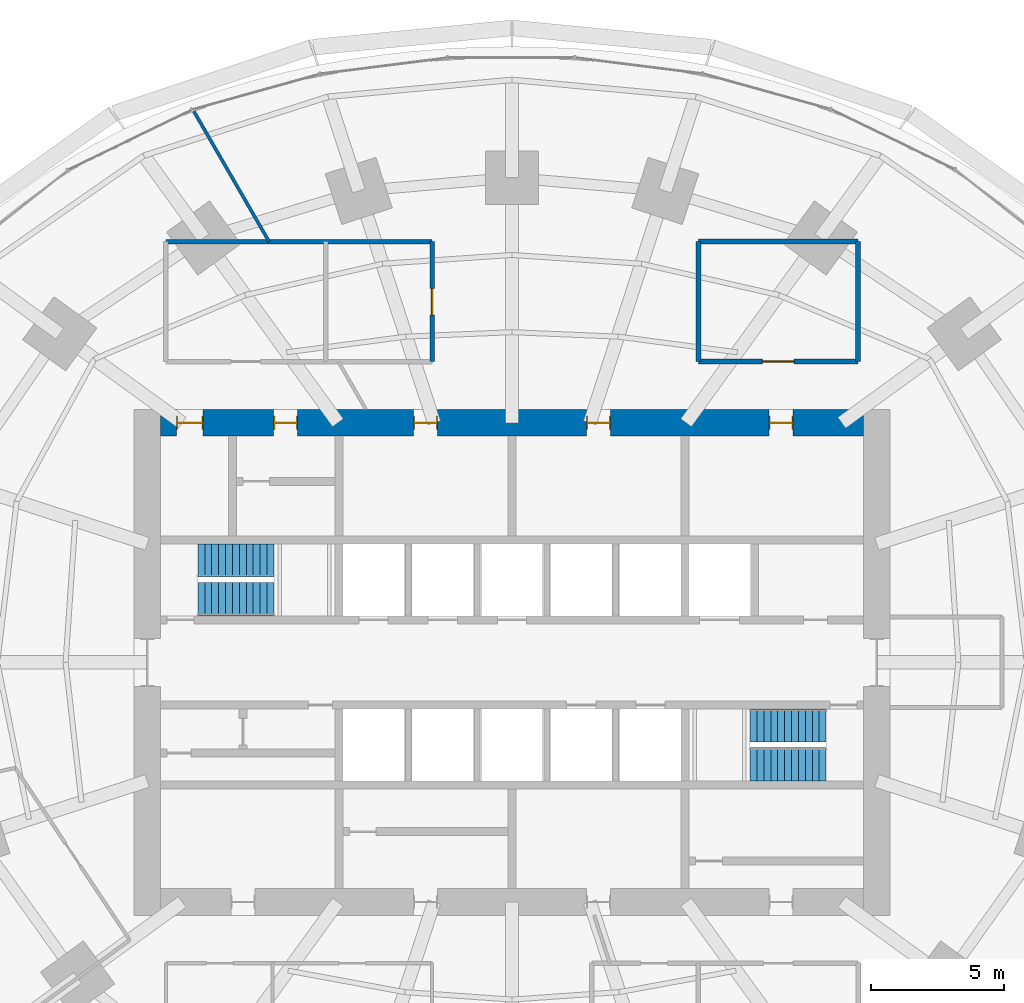
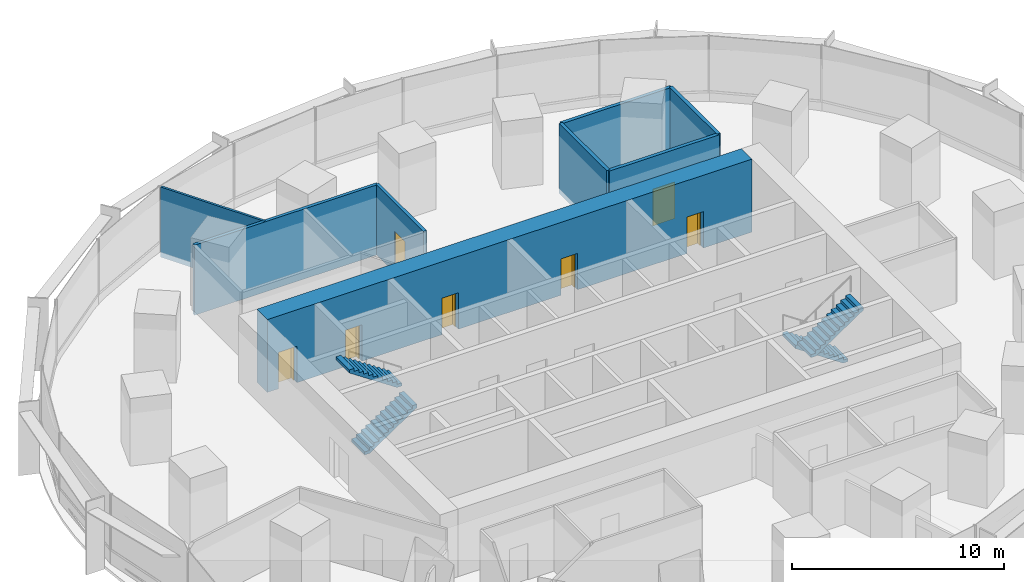
# One storey, part 13 of 15: 8 walls, 7 doors, 4 stair flights, 7 openings, 2 elements without a shape of their own.
"""IFC4 building model written with IfcOpenShell, lengths in metres."""

from ifc_helpers import new_model, si_unit, direction, frame, frame_2d, origin, place, context, subcontext, project, spatial, polyline, rectangle, outline, extrude, material, layer, layer_set, type_object, element, fill, aggregate, save


model = new_model("IFC4")

# Units and contexts
model_context = context("Model", 3, precision=1e-05, world=origin(), true_north=direction((0.0, 1.0)))
body_context = subcontext(model_context, "Body", "Model", "MODEL_VIEW")
ifc_project = project(units=[si_unit("LENGTHUNIT", "METRE"), si_unit("AREAUNIT", "SQUARE_METRE"), si_unit("VOLUMEUNIT", "CUBIC_METRE"), si_unit("PLANEANGLEUNIT", "RADIAN"), si_unit("MASSUNIT", "GRAM", prefix="KILO")], contexts=[model_context])

# Site, building, storey
site_placement = place(None, origin())
site = spatial("IfcSite", under=ifc_project, at=site_placement, CompositionType="ELEMENT")
building_placement = place(site_placement, origin())
building = spatial("IfcBuilding", under=site, at=building_placement, Name="Marramba Exchange Tower", CompositionType="ELEMENT")
storey_placement = place(building_placement, frame((0.0, 0.0, 28.0)))
storey = spatial("IfcBuildingStorey", under=building, at=storey_placement, Name="L06", CompositionType="ELEMENT", Elevation=28.0)

# Wall, opening, door
ifc_material_1 = material(Name="Plasterboard on staggered double steel studs, acoustic insulation", Category="steel")
ifc_layer_1 = layer(ifc_material_1, 0.169921875)
ifc_layer_set_1 = layer_set([ifc_layer_1], Name="Acoustic partition 170")
wall_type_1 = type_object("IfcWallType", Name="Acoustic partition 170", PredefinedType="PARTITIONING", material=ifc_layer_set_1)
wall_1_placement = place(storey_placement, frame((-3.0, 11.300048828125, 0.0), z_axis=(0.0, 0.0, 1.0), x_axis=(0.0, 1.0, 0.0)))
wall_1 = element("IfcWall", 1, at=wall_1_placement, inside=storey, type_object=wall_type_1, Name="Acoustic partition L06 23", PredefinedType="PARTITIONING", context=body_context, shape_type="SweptSolid", body=[
    extrude(rectangle(XDim=4.5, YDim=0.169921875, at=frame_2d((2.25, 0.0))), origin(), (0.0, 0.0, 1.0), 4.0400390625),
])
opening_1_placement = place(wall_1_placement, frame((1.75, 0.0, 0.0)))
opening_1 = element("IfcOpeningElement", 2, at=opening_1_placement, cuts=wall_1, Name="Opening D9", PredefinedType="OPENING", context=body_context, shape_type="SweptSolid", body=[
    extrude(rectangle(XDim=1.0, YDim=2.39990234375, at=frame_2d((0.5, 1.199951171875))), frame((0.0, 0.094970703125, 0.0), z_axis=(0.0, -1.0, 0.0), x_axis=(1.0, 0.0, 0.0)), (0.0, 0.0, 1.0), 0.18994140625),
])
ifc_material_2 = material(Name="Timber door", Category="wood")
door_type_1 = type_object("IfcDoorType", Name="Room door 1000x2400", OperationType="SINGLE_SWING_LEFT", PredefinedType="DOOR", material=ifc_material_2)
door_1_placement = place(opening_1_placement, origin())
door_1 = element("IfcDoor", 3, at=door_1_placement, inside=storey, type_object=door_type_1, Name="D9 Interview Room L06", OperationType="SINGLE_SWING_RIGHT", OverallHeight=2.39990234375, OverallWidth=1.0, PredefinedType="DOOR", context=body_context, shape_type="SweptSolid", body=[
    extrude(rectangle(XDim=1.0, YDim=2.39990234375, at=frame_2d((0.5, 1.199951171875))), frame((0.0, 0.02490234375, 0.0), z_axis=(0.0, -1.0, 0.0), x_axis=(1.0, 0.0, 0.0)), (0.0, 0.0, 1.0), 0.050048828125),
])
fill(opening_1, door_1)

# Wall
wall_2_placement = place(storey_placement, frame((-3.0, 15.800048828125, 0.0), z_axis=(0.0, 0.0, 1.0), x_axis=(-1.0, 0.0, 0.0)))
element("IfcWall", 4, at=wall_2_placement, inside=storey, type_object=wall_type_1, Name="Acoustic partition L06 24", PredefinedType="PARTITIONING", context=body_context, shape_type="SweptSolid", body=[
    extrude(rectangle(XDim=10.0, YDim=0.169921875, at=frame_2d((5.0, 0.0))), origin(), (0.0, 0.0, 1.0), 4.0400390625),
])

# Wall, openings, doors
ifc_material_3 = material(Name="Concrete N50", Category="concrete")
ifc_layer_2 = layer(ifc_material_3, 1.0)
ifc_layer_set_2 = layer_set([ifc_layer_2], Name="Core wall 1000")
wall_type_2 = type_object("IfcWallType", Name="Core wall 1000", PredefinedType="SHEAR", material=ifc_layer_set_2)
wall_3_placement = place(storey_placement, frame((13.199951171875, 9.0, 0.0), z_axis=(0.0, 0.0, 1.0), x_axis=(-1.0, 0.0, 0.0)))
wall_3 = element("IfcWall", 5, at=wall_3_placement, inside=storey, type_object=wall_type_2, Name="Core wall N L06", PredefinedType="SHEAR", context=body_context, shape_type="SweptSolid", body=[
    extrude(rectangle(XDim=26.39990234375, YDim=1.0, at=frame_2d((13.199951171875, 0.0))), origin(), (0.0, 0.0, 1.0), 4.199951171875),
])
opening_2_placement = place(wall_3_placement, frame((2.64990234375, 0.0, 0.0)))
opening_2 = element("IfcOpeningElement", 6, at=opening_2_placement, cuts=wall_3, Name="Opening D5", PredefinedType="OPENING", context=body_context, shape_type="SweptSolid", body=[
    extrude(rectangle(XDim=0.89990234375, YDim=2.10009765625, at=frame_2d((0.449951171875, 1.050048828125))), frame((0.0, 0.510009765625, 0.0), z_axis=(0.0, -1.0, 0.0), x_axis=(1.0, 0.0, 0.0)), (0.0, 0.0, 1.0), 1.02001953125),
])
opening_3_placement = place(wall_3_placement, frame((9.5, 0.0, 0.0)))
opening_3 = element("IfcOpeningElement", 7, at=opening_3_placement, cuts=wall_3, Name="Opening D3", PredefinedType="OPENING", context=body_context, shape_type="SweptSolid", body=[
    extrude(rectangle(XDim=0.89990234375, YDim=2.10009765625, at=frame_2d((0.449951171875, 1.050048828125))), frame((0.0, 0.510009765625, 0.0), z_axis=(0.0, -1.0, 0.0), x_axis=(1.0, 0.0, 0.0)), (0.0, 0.0, 1.0), 1.02001953125),
])
opening_4_placement = place(wall_3_placement, frame((16.0, 0.0, 0.0)))
opening_4 = element("IfcOpeningElement", 8, at=opening_4_placement, cuts=wall_3, Name="Opening D3", PredefinedType="OPENING", context=body_context, shape_type="SweptSolid", body=[
    extrude(rectangle(XDim=0.89990234375, YDim=2.10009765625, at=frame_2d((0.449951171875, 1.050048828125))), frame((0.0, 0.510009765625, 0.0), z_axis=(0.0, -1.0, 0.0), x_axis=(1.0, 0.0, 0.0)), (0.0, 0.0, 1.0), 1.02001953125),
])
opening_5_placement = place(wall_3_placement, frame((21.25, 0.0, 0.0)))
opening_5 = element("IfcOpeningElement", 9, at=opening_5_placement, cuts=wall_3, Name="Opening D5", PredefinedType="OPENING", context=body_context, shape_type="SweptSolid", body=[
    extrude(rectangle(XDim=0.89990234375, YDim=2.10009765625, at=frame_2d((0.449951171875, 1.050048828125))), frame((0.0, 0.510009765625, 0.0), z_axis=(0.0, -1.0, 0.0), x_axis=(1.0, 0.0, 0.0)), (0.0, 0.0, 1.0), 1.02001953125),
])
opening_6_placement = place(wall_3_placement, frame((24.800048828125, 0.0, 0.0)))
opening_6 = element("IfcOpeningElement", 10, at=opening_6_placement, cuts=wall_3, Name="Opening D4", PredefinedType="OPENING", context=body_context, shape_type="SweptSolid", body=[
    extrude(rectangle(XDim=1.0, YDim=2.10009765625, at=frame_2d((0.5, 1.050048828125))), frame((0.0, 0.510009765625, 0.0), z_axis=(0.0, -1.0, 0.0), x_axis=(1.0, 0.0, 0.0)), (0.0, 0.0, 1.0), 1.02001953125),
])
ifc_material_4 = material(Name="Steel-framed door", Category="steel")
door_type_2 = type_object("IfcDoorType", Name="Accessible toilet door 1000x2100", OperationType="SINGLE_SWING_LEFT", PredefinedType="DOOR", material=ifc_material_4)
door_2_placement = place(opening_6_placement, origin())
door_2 = element("IfcDoor", 11, at=door_2_placement, inside=storey, type_object=door_type_2, Name="D4 awc L06", OperationType="SINGLE_SWING_RIGHT", OverallHeight=2.10009765625, OverallWidth=1.0, PredefinedType="DOOR", context=body_context, shape_type="SweptSolid", body=[
    extrude(rectangle(XDim=0.919921875, YDim=2.06005859375, at=frame_2d((0.5, 1.030029296875))), frame((0.0, 0.02490234375, 0.0), z_axis=(0.0, -1.0, 0.0), x_axis=(1.0, 0.0, 0.0)), (0.0, 0.0, 1.0), 0.050048828125),
    extrude(rectangle(XDim=0.04, YDim=2.10009765625, at=frame_2d((0.02001953125, 1.050048828125))), frame((0.0, 0.25, 0.0), z_axis=(0.0, -1.0, 0.0), x_axis=(1.0, 0.0, 0.0)), (0.0, 0.0, 1.0), 0.5),
    extrude(rectangle(XDim=0.04, YDim=2.10009765625, at=frame_2d((0.97998046875, 1.050048828125))), frame((0.0, 0.25, 0.0), z_axis=(0.0, -1.0, 0.0), x_axis=(1.0, 0.0, 0.0)), (0.0, 0.0, 1.0), 0.5),
    extrude(rectangle(XDim=0.919921875, YDim=0.04, at=frame_2d((0.5, 2.080078125))), frame((0.0, 0.25, 0.0), z_axis=(0.0, -1.0, 0.0), x_axis=(1.0, 0.0, 0.0)), (0.0, 0.0, 1.0), 0.5),
])
fill(opening_6, door_2)
door_type_3 = type_object("IfcDoorType", Name="Service door 900x2100", OperationType="SINGLE_SWING_LEFT", PredefinedType="DOOR", material=ifc_material_4)
door_3_placement = place(opening_2_placement, origin())
door_3 = element("IfcDoor", 12, at=door_3_placement, inside=storey, type_object=door_type_3, Name="D5 comms L06", OperationType="SINGLE_SWING_LEFT", OverallHeight=2.10009765625, OverallWidth=0.89990234375, PredefinedType="DOOR", context=body_context, shape_type="SweptSolid", body=[
    extrude(rectangle(XDim=0.81982421875, YDim=2.06005859375, at=frame_2d((0.449951171875, 1.030029296875))), frame((0.0, 0.02490234375, 0.0), z_axis=(0.0, -1.0, 0.0), x_axis=(1.0, 0.0, 0.0)), (0.0, 0.0, 1.0), 0.050048828125),
    extrude(rectangle(XDim=0.04, YDim=2.10009765625, at=frame_2d((0.02001953125, 1.050048828125))), frame((0.0, 0.25, 0.0), z_axis=(0.0, -1.0, 0.0), x_axis=(1.0, 0.0, 0.0)), (0.0, 0.0, 1.0), 0.5),
    extrude(rectangle(XDim=0.04, YDim=2.10009765625, at=frame_2d((0.8798828125, 1.050048828125))), frame((0.0, 0.25, 0.0), z_axis=(0.0, -1.0, 0.0), x_axis=(1.0, 0.0, 0.0)), (0.0, 0.0, 1.0), 0.5),
    extrude(rectangle(XDim=0.81982421875, YDim=0.04, at=frame_2d((0.449951171875, 2.080078125))), frame((0.0, 0.25, 0.0), z_axis=(0.0, -1.0, 0.0), x_axis=(1.0, 0.0, 0.0)), (0.0, 0.0, 1.0), 0.5),
])
fill(opening_2, door_3)
door_4_placement = place(opening_5_placement, origin())
door_4 = element("IfcDoor", 13, at=door_4_placement, inside=storey, type_object=door_type_3, Name="D5 cleaner L06", OperationType="SINGLE_SWING_RIGHT", OverallHeight=2.10009765625, OverallWidth=0.89990234375, PredefinedType="DOOR", context=body_context, shape_type="SweptSolid", body=[
    extrude(rectangle(XDim=0.81982421875, YDim=2.06005859375, at=frame_2d((0.449951171875, 1.030029296875))), frame((0.0, 0.02490234375, 0.0), z_axis=(0.0, -1.0, 0.0), x_axis=(1.0, 0.0, 0.0)), (0.0, 0.0, 1.0), 0.050048828125),
    extrude(rectangle(XDim=0.04, YDim=2.10009765625, at=frame_2d((0.02001953125, 1.050048828125))), frame((0.0, 0.25, 0.0), z_axis=(0.0, -1.0, 0.0), x_axis=(1.0, 0.0, 0.0)), (0.0, 0.0, 1.0), 0.5),
    extrude(rectangle(XDim=0.04, YDim=2.10009765625, at=frame_2d((0.8798828125, 1.050048828125))), frame((0.0, 0.25, 0.0), z_axis=(0.0, -1.0, 0.0), x_axis=(1.0, 0.0, 0.0)), (0.0, 0.0, 1.0), 0.5),
    extrude(rectangle(XDim=0.81982421875, YDim=0.04, at=frame_2d((0.449951171875, 2.080078125))), frame((0.0, 0.25, 0.0), z_axis=(0.0, -1.0, 0.0), x_axis=(1.0, 0.0, 0.0)), (0.0, 0.0, 1.0), 0.5),
])
fill(opening_5, door_4)
door_type_4 = type_object("IfcDoorType", Name="Toilet door 900x2100", OperationType="SINGLE_SWING_LEFT", PredefinedType="DOOR", material=ifc_material_4)
door_5_placement = place(opening_3_placement, origin())
door_5 = element("IfcDoor", 14, at=door_5_placement, inside=storey, type_object=door_type_4, Name="D3 wc-f L06", OperationType="SINGLE_SWING_RIGHT", OverallHeight=2.10009765625, OverallWidth=0.89990234375, PredefinedType="DOOR", context=body_context, shape_type="SweptSolid", body=[
    extrude(rectangle(XDim=0.81982421875, YDim=2.06005859375, at=frame_2d((0.449951171875, 1.030029296875))), frame((0.0, 0.02490234375, 0.0), z_axis=(0.0, -1.0, 0.0), x_axis=(1.0, 0.0, 0.0)), (0.0, 0.0, 1.0), 0.050048828125),
    extrude(rectangle(XDim=0.04, YDim=2.10009765625, at=frame_2d((0.02001953125, 1.050048828125))), frame((0.0, 0.25, 0.0), z_axis=(0.0, -1.0, 0.0), x_axis=(1.0, 0.0, 0.0)), (0.0, 0.0, 1.0), 0.5),
    extrude(rectangle(XDim=0.04, YDim=2.10009765625, at=frame_2d((0.8798828125, 1.050048828125))), frame((0.0, 0.25, 0.0), z_axis=(0.0, -1.0, 0.0), x_axis=(1.0, 0.0, 0.0)), (0.0, 0.0, 1.0), 0.5),
    extrude(rectangle(XDim=0.81982421875, YDim=0.04, at=frame_2d((0.449951171875, 2.080078125))), frame((0.0, 0.25, 0.0), z_axis=(0.0, -1.0, 0.0), x_axis=(1.0, 0.0, 0.0)), (0.0, 0.0, 1.0), 0.5),
])
fill(opening_3, door_5)
door_6_placement = place(opening_4_placement, origin())
door_6 = element("IfcDoor", 15, at=door_6_placement, inside=storey, type_object=door_type_4, Name="D3 wc-m L06", OperationType="SINGLE_SWING_RIGHT", OverallHeight=2.10009765625, OverallWidth=0.89990234375, PredefinedType="DOOR", context=body_context, shape_type="SweptSolid", body=[
    extrude(rectangle(XDim=0.81982421875, YDim=2.06005859375, at=frame_2d((0.449951171875, 1.030029296875))), frame((0.0, 0.02490234375, 0.0), z_axis=(0.0, -1.0, 0.0), x_axis=(1.0, 0.0, 0.0)), (0.0, 0.0, 1.0), 0.050048828125),
    extrude(rectangle(XDim=0.04, YDim=2.10009765625, at=frame_2d((0.02001953125, 1.050048828125))), frame((0.0, 0.25, 0.0), z_axis=(0.0, -1.0, 0.0), x_axis=(1.0, 0.0, 0.0)), (0.0, 0.0, 1.0), 0.5),
    extrude(rectangle(XDim=0.04, YDim=2.10009765625, at=frame_2d((0.8798828125, 1.050048828125))), frame((0.0, 0.25, 0.0), z_axis=(0.0, -1.0, 0.0), x_axis=(1.0, 0.0, 0.0)), (0.0, 0.0, 1.0), 0.5),
    extrude(rectangle(XDim=0.81982421875, YDim=0.04, at=frame_2d((0.449951171875, 2.080078125))), frame((0.0, 0.25, 0.0), z_axis=(0.0, -1.0, 0.0), x_axis=(1.0, 0.0, 0.0)), (0.0, 0.0, 1.0), 0.5),
])
fill(opening_4, door_6)

# Wall
ifc_material_5 = material(Name="Core-filled concrete blockwork, rendered", Category="masonry")
ifc_layer_3 = layer(ifc_material_5, 0.18994140625)
ifc_layer_set_3 = layer_set([ifc_layer_3], Name="Equipment room wall 190")
wall_type_3 = type_object("IfcWallType", Name="Equipment room wall 190", PredefinedType="SOLIDWALL", material=ifc_layer_set_3)
wall_4_placement = place(storey_placement, frame((13.0, 15.800048828125, 0.0), z_axis=(0.0, 0.0, 1.0), x_axis=(0.0, -1.0, 0.0)))
element("IfcWall", 16, at=wall_4_placement, inside=storey, type_object=wall_type_3, Name="Equipment room wall L06 19", PredefinedType="SOLIDWALL", context=body_context, shape_type="SweptSolid", body=[
    extrude(rectangle(XDim=4.5, YDim=0.18994140625, at=frame_2d((2.25, 0.0))), origin(), (0.0, 0.0, 1.0), 4.0400390625),
])

# Wall, opening, door
wall_5_placement = place(storey_placement, frame((13.0, 11.300048828125, 0.0), z_axis=(0.0, 0.0, 1.0), x_axis=(-1.0, 0.0, 0.0)))
wall_5 = element("IfcWall", 17, at=wall_5_placement, inside=storey, type_object=wall_type_3, Name="Equipment room wall L06 20", PredefinedType="SOLIDWALL", context=body_context, shape_type="SweptSolid", body=[
    extrude(rectangle(XDim=6.0, YDim=0.18994140625, at=frame_2d((3.0, 0.0))), origin(), (0.0, 0.0, 1.0), 4.0400390625),
])
opening_7_placement = place(wall_5_placement, frame((2.39990234375, 0.0, 0.0)))
opening_7 = element("IfcOpeningElement", 18, at=opening_7_placement, cuts=wall_5, Name="Opening D16", PredefinedType="OPENING", context=body_context, shape_type="SweptSolid", body=[
    extrude(rectangle(XDim=1.199951171875, YDim=2.10009765625, at=frame_2d((0.60009765625, 1.050048828125))), frame((0.0, 0.10498046875, 0.0), z_axis=(0.0, -1.0, 0.0), x_axis=(1.0, 0.0, 0.0)), (0.0, 0.0, 1.0), 0.2099609375),
])
door_type_5 = type_object("IfcDoorType", Name="Equipment room door 1200x2100", OperationType="SINGLE_SWING_LEFT", PredefinedType="DOOR", material=ifc_material_4)
door_7_placement = place(opening_7_placement, frame((1.199951171875, 0.0, 0.0), z_axis=(0.0, 0.0, 1.0), x_axis=(-1.0, 0.0, 0.0)))
door_7 = element("IfcDoor", 19, at=door_7_placement, inside=storey, type_object=door_type_5, Name="D16 Data Room L06", OperationType="SINGLE_SWING_RIGHT", OverallHeight=2.10009765625, OverallWidth=1.199951171875, PredefinedType="DOOR", context=body_context, shape_type="SweptSolid", body=[
    extrude(rectangle(XDim=1.199951171875, YDim=2.10009765625, at=frame_2d((0.599853515625, 1.050048828125))), frame((0.0, 0.025146484375, 0.0), z_axis=(0.0, -1.0, 0.0), x_axis=(1.0, 0.0, 0.0)), (0.0, 0.0, 1.0), 0.050048828125),
])
fill(opening_7, door_7)

# Walls
wall_6_placement = place(storey_placement, frame((7.0, 15.800048828125, 0.0), z_axis=(0.0, 0.0, 1.0), x_axis=(1.0, 0.0, 0.0)))
element("IfcWall", 20, at=wall_6_placement, inside=storey, type_object=wall_type_3, Name="Equipment room wall L06 21", PredefinedType="SOLIDWALL", context=body_context, shape_type="SweptSolid", body=[
    extrude(rectangle(XDim=6.0, YDim=0.18994140625, at=frame_2d((3.0, 0.0))), origin(), (0.0, 0.0, 1.0), 4.0400390625),
])
wall_7_placement = place(storey_placement, frame((7.0, 11.300048828125, 0.0), z_axis=(0.0, 0.0, 1.0), x_axis=(0.0, 1.0, 0.0)))
element("IfcWall", 21, at=wall_7_placement, inside=storey, type_object=wall_type_3, Name="Equipment room wall L06 22", PredefinedType="SOLIDWALL", context=body_context, shape_type="SweptSolid", body=[
    extrude(rectangle(XDim=4.5, YDim=0.18994140625, at=frame_2d((2.25, 0.0))), origin(), (0.0, 0.0, 1.0), 4.0400390625),
])
ifc_material_6 = material(Name="Plasterboard on steel studs", Category="steel")
ifc_layer_4 = layer(ifc_material_6, 0.1201171875)
ifc_layer_set_4 = layer_set([ifc_layer_4], Name="Partition 120")
wall_type_4 = type_object("IfcWallType", Name="Partition 120", PredefinedType="PARTITIONING", material=ifc_layer_set_4)
wall_8_placement = place(storey_placement, frame((-9.1220703125, 15.800048828125, 0.0), z_axis=(0.0, 0.0, 1.0), x_axis=(-0.500002773681, 0.866023802393, 0.0)))
element("IfcWall", 22, at=wall_8_placement, inside=storey, type_object=wall_type_4, Name="Partition L06 27", PredefinedType="PARTITIONING", context=body_context, shape_type="SweptSolid", body=[
    extrude(rectangle(XDim=5.654296875, YDim=0.1201171875, at=frame_2d((2.8271484375, 0.0))), origin(), (0.0, 0.0, 1.0), 4.0400390625),
])

# Stair, stair flights
ifc_material_7 = material(Name="Concrete N40 (40 MPa)", Category="concrete")
stair_type_1 = type_object("IfcStairType", Name="Exit stair ST1 4200 x 1250", PredefinedType="HALF_TURN_STAIR", material=ifc_material_7)
stair_1_placement = place(storey_placement, origin())
stair_1 = element("IfcStair", 23, at=stair_1_placement, inside=storey, type_object=stair_type_1, Name="Exit stair ST1 L06", PredefinedType="HALF_TURN_STAIR")
stair_flight_type_1 = type_object("IfcStairFlightType", Name="ST1 stair flight 1750 riser 1250 wide", PredefinedType="STRAIGHT", material=ifc_material_7)
stair_flight_1_placement = place(storey_placement, frame((-11.800048828125, 2.375, 0.0), z_axis=(0.0, 0.0, 1.0), x_axis=(1.0, 0.0, 0.0)))
stair_flight_1 = element("IfcStairFlight", 24, at=stair_flight_1_placement, type_object=stair_flight_type_1, Name="ST1 flight 1", NumberOfRisers=12, NumberOfTreads=11, PredefinedType="STRAIGHT", RiserHeight=0.175, TreadLength=0.26, context=body_context, shape_type="SweptSolid", body=[
    extrude(outline(polyline([(0.0, 0.0), (0.0, 0.175048828125), (0.260009765625, 0.175048828125), (0.260009765625, 0.35009765625), (0.52001953125, 0.35009765625), (0.52001953125, 0.52490234375), (0.780029296875, 0.52490234375), (0.780029296875, 0.699951171875), (1.0400390625, 0.699951171875), (1.0400390625, 0.875), (1.300048828125, 0.875), (1.300048828125, 1.050048828125), (1.56005859375, 1.050048828125), (1.56005859375, 1.22509765625), (1.820068359375, 1.22509765625), (1.820068359375, 1.39990234375), (2.080078125, 1.39990234375), (2.080078125, 1.574951171875), (2.340087890625, 1.574951171875), (2.340087890625, 1.75), (2.60009765625, 1.75), (2.60009765625, 1.925048828125), (2.860107421875, 1.925048828125), (2.860107421875, 2.10009765625), (2.860107421875, 1.744384765625), (0.2685546875, 0.0), (0.0, 0.0)])), frame((0.0, 0.625, 0.0), z_axis=(0.0, -1.0, 0.0), x_axis=(1.0, 0.0, 0.0)), (0.0, 0.0, 1.0), 1.25),
])
stair_flight_2_placement = place(storey_placement, frame((-8.93994140625, 3.824951171875, 2.10009765625), z_axis=(0.0, 0.0, 1.0), x_axis=(-1.0, 0.0, 0.0)))
stair_flight_2 = element("IfcStairFlight", 25, at=stair_flight_2_placement, type_object=stair_flight_type_1, Name="ST1 flight 2", NumberOfRisers=12, NumberOfTreads=11, PredefinedType="STRAIGHT", RiserHeight=0.175, TreadLength=0.26, context=body_context, shape_type="SweptSolid", body=[
    extrude(outline(polyline([(0.0, 0.0), (0.0, 0.175048828125), (0.260009765625, 0.175048828125), (0.260009765625, 0.35009765625), (0.52001953125, 0.35009765625), (0.52001953125, 0.52490234375), (0.780029296875, 0.52490234375), (0.780029296875, 0.699951171875), (1.0400390625, 0.699951171875), (1.0400390625, 0.875), (1.300048828125, 0.875), (1.300048828125, 1.050048828125), (1.56005859375, 1.050048828125), (1.56005859375, 1.22509765625), (1.820068359375, 1.22509765625), (1.820068359375, 1.39990234375), (2.080078125, 1.39990234375), (2.080078125, 1.574951171875), (2.340087890625, 1.574951171875), (2.340087890625, 1.75), (2.60009765625, 1.75), (2.60009765625, 1.925048828125), (2.860107421875, 1.925048828125), (2.860107421875, 2.10009765625), (2.860107421875, 1.744384765625), (0.2685546875, 0.0), (0.0, 0.0)])), frame((0.0, 0.625, 0.0), z_axis=(0.0, -1.0, 0.0), x_axis=(1.0, 0.0, 0.0)), (0.0, 0.0, 1.0), 1.25),
])
aggregate(stair_1, [stair_flight_1, stair_flight_2])

stair_type_2 = type_object("IfcStairType", Name="Exit stair ST2 4200 x 1250", PredefinedType="HALF_TURN_STAIR", material=ifc_material_7)
stair_2_placement = place(storey_placement, origin())
stair_2 = element("IfcStair", 26, at=stair_2_placement, inside=storey, type_object=stair_type_2, Name="Exit stair ST2 L06", PredefinedType="HALF_TURN_STAIR")
stair_flight_type_2 = type_object("IfcStairFlightType", Name="ST2 stair flight 1750 riser 1250 wide", PredefinedType="STRAIGHT", material=ifc_material_7)
stair_flight_3_placement = place(storey_placement, frame((11.800048828125, -2.375, 0.0), z_axis=(0.0, 0.0, 1.0), x_axis=(-1.0, 0.0, 0.0)))
stair_flight_3 = element("IfcStairFlight", 27, at=stair_flight_3_placement, type_object=stair_flight_type_2, Name="ST2 flight 1", NumberOfRisers=12, NumberOfTreads=11, PredefinedType="STRAIGHT", RiserHeight=0.175, TreadLength=0.26, context=body_context, shape_type="SweptSolid", body=[
    extrude(outline(polyline([(0.0, 0.0), (0.0, 0.175048828125), (0.260009765625, 0.175048828125), (0.260009765625, 0.35009765625), (0.52001953125, 0.35009765625), (0.52001953125, 0.52490234375), (0.780029296875, 0.52490234375), (0.780029296875, 0.699951171875), (1.0400390625, 0.699951171875), (1.0400390625, 0.875), (1.300048828125, 0.875), (1.300048828125, 1.050048828125), (1.56005859375, 1.050048828125), (1.56005859375, 1.22509765625), (1.820068359375, 1.22509765625), (1.820068359375, 1.39990234375), (2.080078125, 1.39990234375), (2.080078125, 1.574951171875), (2.340087890625, 1.574951171875), (2.340087890625, 1.75), (2.60009765625, 1.75), (2.60009765625, 1.925048828125), (2.860107421875, 1.925048828125), (2.860107421875, 2.10009765625), (2.860107421875, 1.744384765625), (0.2685546875, 0.0), (0.0, 0.0)])), frame((0.0, 0.625, 0.0), z_axis=(0.0, -1.0, 0.0), x_axis=(1.0, 0.0, 0.0)), (0.0, 0.0, 1.0), 1.25),
])
stair_flight_4_placement = place(storey_placement, frame((8.93994140625, -3.824951171875, 2.10009765625), z_axis=(0.0, 0.0, 1.0), x_axis=(1.0, 0.0, 0.0)))
stair_flight_4 = element("IfcStairFlight", 28, at=stair_flight_4_placement, type_object=stair_flight_type_2, Name="ST2 flight 2", NumberOfRisers=12, NumberOfTreads=11, PredefinedType="STRAIGHT", RiserHeight=0.175, TreadLength=0.26, context=body_context, shape_type="SweptSolid", body=[
    extrude(outline(polyline([(0.0, 0.0), (0.0, 0.175048828125), (0.260009765625, 0.175048828125), (0.260009765625, 0.35009765625), (0.52001953125, 0.35009765625), (0.52001953125, 0.52490234375), (0.780029296875, 0.52490234375), (0.780029296875, 0.699951171875), (1.0400390625, 0.699951171875), (1.0400390625, 0.875), (1.300048828125, 0.875), (1.300048828125, 1.050048828125), (1.56005859375, 1.050048828125), (1.56005859375, 1.22509765625), (1.820068359375, 1.22509765625), (1.820068359375, 1.39990234375), (2.080078125, 1.39990234375), (2.080078125, 1.574951171875), (2.340087890625, 1.574951171875), (2.340087890625, 1.75), (2.60009765625, 1.75), (2.60009765625, 1.925048828125), (2.860107421875, 1.925048828125), (2.860107421875, 2.10009765625), (2.860107421875, 1.744384765625), (0.2685546875, 0.0), (0.0, 0.0)])), frame((0.0, 0.625, 0.0), z_axis=(0.0, -1.0, 0.0), x_axis=(1.0, 0.0, 0.0)), (0.0, 0.0, 1.0), 1.25),
])
aggregate(stair_2, [stair_flight_3, stair_flight_4])

save(model, "model.ifc")
